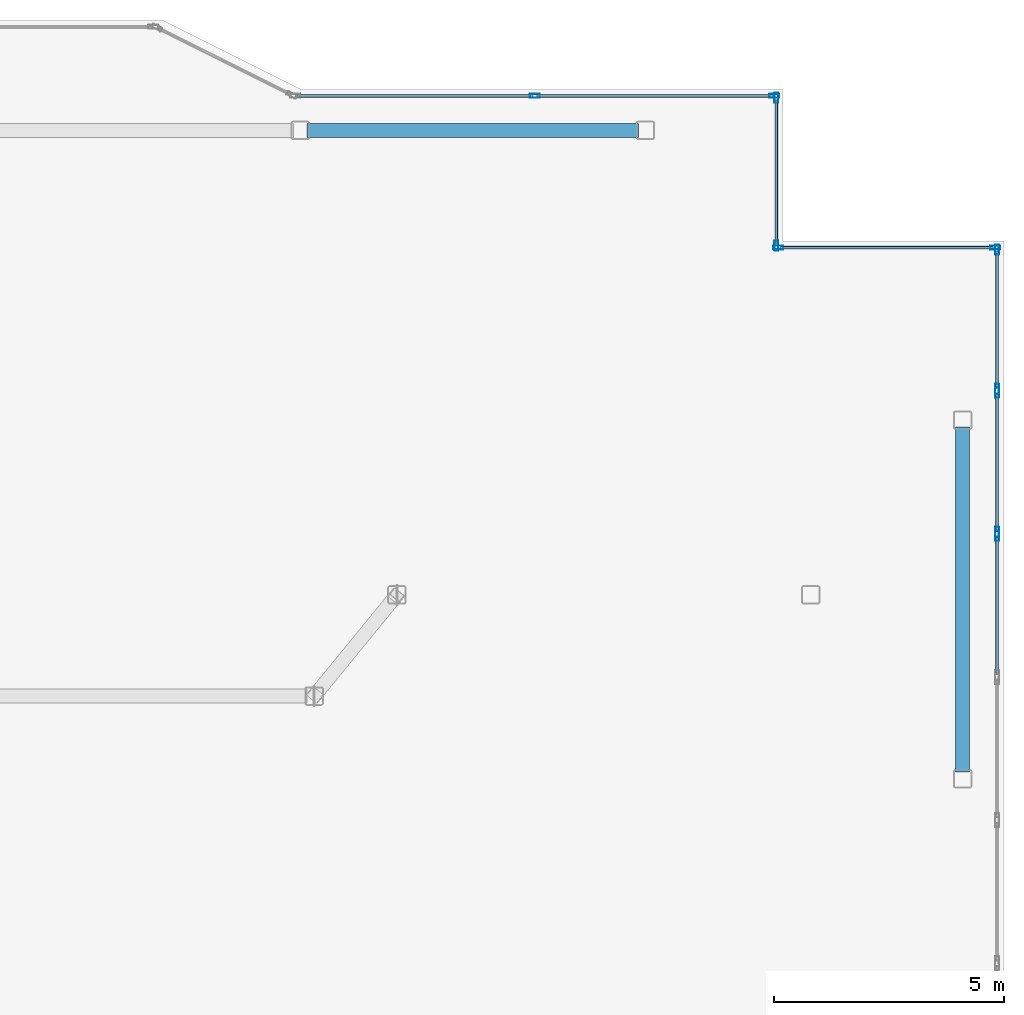
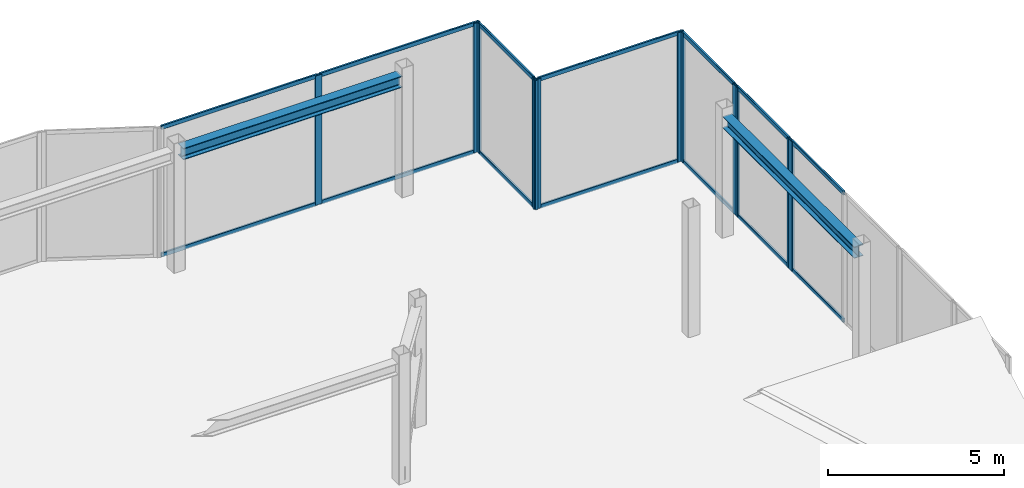
# One storey, part 8 of 12: 25 members, 2 beams, 6 elements without a shape of their own.
"""IFC4 building model written with IfcOpenShell, lengths in metres."""

from ifc_helpers import new_model, si_unit, direction, frame, origin, origin_2d, place, context, subcontext, project, spatial, hollow_rectangle, i_section, extrude, material, layer, layer_set, material_profile, profile_set, type_object, element, aggregate, save


model = new_model("IFC4")

# Units and contexts
model_context = context("Model", 3, precision=1e-05, world=origin(), true_north=direction((0.0, 1.0)))
body_context = subcontext(model_context, "Body", "Model", "MODEL_VIEW")
ifc_project = project(units=[si_unit("LENGTHUNIT", "METRE"), si_unit("AREAUNIT", "SQUARE_METRE"), si_unit("VOLUMEUNIT", "CUBIC_METRE"), si_unit("PLANEANGLEUNIT", "RADIAN"), si_unit("MASSUNIT", "GRAM", prefix="KILO")], contexts=[model_context])

# Site, building, storey
site_placement = place(None, origin())
site = spatial("IfcSite", under=ifc_project, at=site_placement, CompositionType="ELEMENT")
building_placement = place(site_placement, origin())
building = spatial("IfcBuilding", under=site, at=building_placement, Name="Tarnavaz Court Tower", CompositionType="ELEMENT")
storey_placement = place(building_placement, frame((0.0, 0.0, 299.550048828125)))
storey = spatial("IfcBuildingStorey", under=building, at=storey_placement, Name="C05", CompositionType="ELEMENT", Elevation=299.550048828125)

# Beams
ifc_material_1 = material(Name="Steel S355", Category="steel")
ifc_material_profile_1 = material_profile(ifc_material_1, i_section(OverallWidth=0.300048828125, OverallDepth=0.39990234375, WebThickness=0.013427734375, FlangeThickness=0.02392578125, FilletRadius=0.027099609375, at=origin_2d()), Name="HEB 400")
ifc_profile_set_1 = profile_set([ifc_material_profile_1], Name="Steel S355")
beam_type = type_object("IfcBeamType", Name="BM-G-HEB400", PredefinedType="USERDEFINED", material=ifc_profile_set_1)
beam_1_placement = place(storey_placement, frame((7.64990234375, 20.10009765625, 4.0), z_axis=(1.0, 0.0, 0.0), x_axis=(0.0, 1.0, 0.0)))
element("IfcBeam", 1, at=beam_1_placement, inside=storey, type_object=beam_type, Name="C05 Beam CRG-PN-3-PN-4", ObjectType="GIRDER", PredefinedType="USERDEFINED", context=body_context, shape_type="SweptSolid", body=[
    extrude(i_section(OverallWidth=0.300048828125, OverallDepth=0.39990234375, WebThickness=0.013427734375, FlangeThickness=0.02392578125, FilletRadius=0.027099609375, at=origin_2d()), origin(), (0.0, 0.0, 1.0), 7.2001953125),
])
beam_2_placement = place(storey_placement, frame((21.89990234375, 6.14990234375, 4.0), z_axis=(0.0, 1.0, 0.0), x_axis=(-1.0, 0.0, 0.0)))
element("IfcBeam", 2, at=beam_2_placement, inside=storey, type_object=beam_type, Name="C05 Beam CRG-PE-3-PE-4", ObjectType="GIRDER", PredefinedType="USERDEFINED", context=body_context, shape_type="SweptSolid", body=[
    extrude(i_section(OverallWidth=0.300048828125, OverallDepth=0.39990234375, WebThickness=0.013427734375, FlangeThickness=0.02392578125, FilletRadius=0.027099609375, at=origin_2d()), origin(), (0.0, 0.0, 1.0), 7.5),
])

# Curtain wall, members
ifc_material_2 = material(Name="Anodised Aluminium 6063-T6 and Solar Low-E Glazing", Category="aluminium")
ifc_layer = layer(ifc_material_2, 0.2099609375)
ifc_layer_set = layer_set([ifc_layer], Name="Anodised Aluminium 6063-T6 and Solar Low-E Glazing")
curtain_wall_type = type_object("IfcCurtainWallType", Name="CW-SYS-06", PredefinedType="NOTDEFINED", material=ifc_layer_set)
curtain_wall_1_placement = place(storey_placement, origin())
curtain_wall_1 = element("IfcCurtainWall", 3, at=curtain_wall_1_placement, inside=storey, type_object=curtain_wall_type, Name="C05 Slanted Crown Terracotta Curtain Wall 7", PredefinedType="NOTDEFINED")
ifc_material_3 = material(Name="Anodised Aluminium 6063-T6", Category="aluminium")
ifc_material_profile_2 = material_profile(ifc_material_3, hollow_rectangle(XDim=0.0849609375, YDim=0.219970703125, WallThickness=0.006103515625, InnerFilletRadius=0.006103515625, OuterFilletRadius=0.011962890625, at=origin_2d()), Name="ALU RHS 220X85X6")
ifc_profile_set_2 = profile_set([ifc_material_profile_2], Name="Anodised Aluminium 6063-T6")
member_type_1 = type_object("IfcMemberType", Name="CW-MUL-220", PredefinedType="MULLION", material=ifc_profile_set_2)
member_1_placement = place(storey_placement, frame((12.60009765625, 20.85009765625, 0.0), z_axis=(0.0, 0.0, 1.0), x_axis=(0.0, 1.0, 0.0)))
member_1 = element("IfcMember", 4, at=member_1_placement, type_object=member_type_1, Name="CW mullion 2", PredefinedType="MULLION", context=body_context, shape_type="SweptSolid", body=[
    extrude(hollow_rectangle(XDim=0.0849609375, YDim=0.219970703125, WallThickness=0.006103515625, InnerFilletRadius=0.006103515625, OuterFilletRadius=0.011962890625, at=origin_2d()), origin(), (0.0, 0.0, 1.0), 4.5),
])
member_2_placement = place(storey_placement, frame((17.8076171875, 20.85009765625, 0.0), z_axis=(0.0, 0.0, 1.0), x_axis=(0.0, 1.0, 0.0)))
member_2 = element("IfcMember", 5, at=member_2_placement, type_object=member_type_1, Name="CW mullion 3", PredefinedType="MULLION", context=body_context, shape_type="SweptSolid", body=[
    extrude(hollow_rectangle(XDim=0.0849609375, YDim=0.219970703125, WallThickness=0.006103515625, InnerFilletRadius=0.006103515625, OuterFilletRadius=0.011962890625, at=origin_2d()), origin(), (0.0, 0.0, 1.0), 4.5),
])

curtain_wall_2_placement = place(storey_placement, origin())
curtain_wall_2 = element("IfcCurtainWall", 6, at=curtain_wall_2_placement, inside=storey, type_object=curtain_wall_type, Name="C05 Slanted Crown Terracotta Curtain Wall 8", PredefinedType="NOTDEFINED")
member_3_placement = place(storey_placement, frame((17.85009765625, 20.8076171875, 0.0), z_axis=(0.0, 0.0, 1.0), x_axis=(1.0, 0.0, 0.0)))
member_3 = element("IfcMember", 7, at=member_3_placement, type_object=member_type_1, Name="CW mullion 1", PredefinedType="MULLION", context=body_context, shape_type="SweptSolid", body=[
    extrude(hollow_rectangle(XDim=0.0849609375, YDim=0.219970703125, WallThickness=0.006103515625, InnerFilletRadius=0.006103515625, OuterFilletRadius=0.011962890625, at=origin_2d()), origin(), (0.0, 0.0, 1.0), 4.5),
])
member_4_placement = place(storey_placement, frame((17.85009765625, 17.592529296875, 0.0), z_axis=(0.0, 0.0, 1.0), x_axis=(1.0, 0.0, 0.0)))
member_4 = element("IfcMember", 8, at=member_4_placement, type_object=member_type_1, Name="CW mullion 2", PredefinedType="MULLION", context=body_context, shape_type="SweptSolid", body=[
    extrude(hollow_rectangle(XDim=0.0849609375, YDim=0.219970703125, WallThickness=0.006103515625, InnerFilletRadius=0.006103515625, OuterFilletRadius=0.011962890625, at=origin_2d()), origin(), (0.0, 0.0, 1.0), 4.5),
])

curtain_wall_3_placement = place(storey_placement, origin())
curtain_wall_3 = element("IfcCurtainWall", 9, at=curtain_wall_3_placement, inside=storey, type_object=curtain_wall_type, Name="C05 Slanted Crown Terracotta Curtain Wall 9", PredefinedType="NOTDEFINED")
member_5_placement = place(storey_placement, frame((17.892578125, 17.550048828125, 0.0), z_axis=(0.0, 0.0, 1.0), x_axis=(0.0, 1.0, 0.0)))
member_5 = element("IfcMember", 10, at=member_5_placement, type_object=member_type_1, Name="CW mullion 1", PredefinedType="MULLION", context=body_context, shape_type="SweptSolid", body=[
    extrude(hollow_rectangle(XDim=0.0849609375, YDim=0.219970703125, WallThickness=0.006103515625, InnerFilletRadius=0.006103515625, OuterFilletRadius=0.011962890625, at=origin_2d()), origin(), (0.0, 0.0, 1.0), 4.5),
])
member_6_placement = place(storey_placement, frame((22.607421875, 17.550048828125, 0.0), z_axis=(0.0, 0.0, 1.0), x_axis=(0.0, 1.0, 0.0)))
member_6 = element("IfcMember", 11, at=member_6_placement, type_object=member_type_1, Name="CW mullion 2", PredefinedType="MULLION", context=body_context, shape_type="SweptSolid", body=[
    extrude(hollow_rectangle(XDim=0.0849609375, YDim=0.219970703125, WallThickness=0.006103515625, InnerFilletRadius=0.006103515625, OuterFilletRadius=0.011962890625, at=origin_2d()), origin(), (0.0, 0.0, 1.0), 4.5),
])

curtain_wall_4_placement = place(storey_placement, origin())
curtain_wall_4 = element("IfcCurtainWall", 12, at=curtain_wall_4_placement, inside=storey, type_object=curtain_wall_type, Name="C05 Slanted Crown Terracotta Curtain Wall 10", PredefinedType="NOTDEFINED")
member_7_placement = place(storey_placement, frame((22.64990234375, 17.507568359375, 0.0), z_axis=(0.0, 0.0, 1.0), x_axis=(1.0, 0.0, 0.0)))
member_7 = element("IfcMember", 13, at=member_7_placement, type_object=member_type_1, Name="CW mullion 1", PredefinedType="MULLION", context=body_context, shape_type="SweptSolid", body=[
    extrude(hollow_rectangle(XDim=0.0849609375, YDim=0.219970703125, WallThickness=0.006103515625, InnerFilletRadius=0.006103515625, OuterFilletRadius=0.011962890625, at=origin_2d()), origin(), (0.0, 0.0, 1.0), 4.5),
])
member_8_placement = place(storey_placement, frame((22.64990234375, 14.47998046875, 0.0), z_axis=(0.0, 0.0, 1.0), x_axis=(1.0, 0.0, 0.0)))
member_8 = element("IfcMember", 14, at=member_8_placement, type_object=member_type_1, Name="CW mullion 2", PredefinedType="MULLION", context=body_context, shape_type="SweptSolid", body=[
    extrude(hollow_rectangle(XDim=0.0849609375, YDim=0.219970703125, WallThickness=0.006103515625, InnerFilletRadius=0.006103515625, OuterFilletRadius=0.011962890625, at=origin_2d()), origin(), (0.0, 0.0, 1.0), 4.5),
])

curtain_wall_5_placement = place(storey_placement, origin())
curtain_wall_5 = element("IfcCurtainWall", 15, at=curtain_wall_5_placement, inside=storey, type_object=curtain_wall_type, Name="C05 Slanted Crown Terracotta Curtain Wall 11", PredefinedType="NOTDEFINED")
member_9_placement = place(storey_placement, frame((22.64990234375, 14.39501953125, 0.0), z_axis=(0.0, 0.0, 1.0), x_axis=(1.0, 0.0, 0.0)))
member_9 = element("IfcMember", 16, at=member_9_placement, type_object=member_type_1, Name="CW mullion 1", PredefinedType="MULLION", context=body_context, shape_type="SweptSolid", body=[
    extrude(hollow_rectangle(XDim=0.0849609375, YDim=0.219970703125, WallThickness=0.006103515625, InnerFilletRadius=0.006103515625, OuterFilletRadius=0.011962890625, at=origin_2d()), origin(), (0.0, 0.0, 1.0), 4.5),
])
member_10_placement = place(storey_placement, frame((22.64990234375, 11.367431640625, 0.0), z_axis=(0.0, 0.0, 1.0), x_axis=(1.0, 0.0, 0.0)))
member_10 = element("IfcMember", 17, at=member_10_placement, type_object=member_type_1, Name="CW mullion 2", PredefinedType="MULLION", context=body_context, shape_type="SweptSolid", body=[
    extrude(hollow_rectangle(XDim=0.0849609375, YDim=0.219970703125, WallThickness=0.006103515625, InnerFilletRadius=0.006103515625, OuterFilletRadius=0.011962890625, at=origin_2d()), origin(), (0.0, 0.0, 1.0), 4.5),
])

# Curtain wall, member
curtain_wall_6_placement = place(storey_placement, origin())
curtain_wall_6 = element("IfcCurtainWall", 18, at=curtain_wall_6_placement, inside=storey, type_object=curtain_wall_type, Name="C05 Slanted Crown Terracotta Curtain Wall 12", PredefinedType="NOTDEFINED")
member_11_placement = place(storey_placement, frame((22.64990234375, 11.282470703125, 0.0), z_axis=(0.0, 0.0, 1.0), x_axis=(1.0, 0.0, 0.0)))
member_11 = element("IfcMember", 19, at=member_11_placement, type_object=member_type_1, Name="CW mullion 1", PredefinedType="MULLION", context=body_context, shape_type="SweptSolid", body=[
    extrude(hollow_rectangle(XDim=0.0849609375, YDim=0.219970703125, WallThickness=0.006103515625, InnerFilletRadius=0.006103515625, OuterFilletRadius=0.011962890625, at=origin_2d()), origin(), (0.0, 0.0, 1.0), 4.5),
])

# Member
ifc_material_profile_3 = material_profile(ifc_material_3, hollow_rectangle(XDim=0.06494140625, YDim=0.139892578125, WallThickness=0.00390625, InnerFilletRadius=0.00390625, OuterFilletRadius=0.008056640625, at=origin_2d()), Name="ALU RHS 140X65X4")
ifc_profile_set_3 = profile_set([ifc_material_profile_3], Name="Anodised Aluminium 6063-T6")
member_type_2 = type_object("IfcMemberType", Name="CW-TRN-140", PredefinedType="USERDEFINED", material=ifc_profile_set_3)
member_12_placement = place(storey_placement, frame((7.43505859375, 20.85009765625, 0.032470703125), z_axis=(1.0, 0.0, 0.0), x_axis=(0.0, 1.0, 0.0)))
member_12 = element("IfcMember", 20, at=member_12_placement, type_object=member_type_2, Name="CW transom 1.1", ObjectType="TRANSOM", PredefinedType="USERDEFINED", context=body_context, shape_type="SweptSolid", body=[
    extrude(hollow_rectangle(XDim=0.06494140625, YDim=0.139892578125, WallThickness=0.00390625, InnerFilletRadius=0.00390625, OuterFilletRadius=0.008056640625, at=origin_2d()), origin(), (0.0, 0.0, 1.0), 5.12255859375),
])

member_13_placement = place(storey_placement, frame((7.43505859375, 20.85009765625, 4.467529296875), z_axis=(1.0, 0.0, 0.0), x_axis=(0.0, 1.0, 0.0)))
member_13 = element("IfcMember", 21, at=member_13_placement, type_object=member_type_2, Name="CW transom 1.2", ObjectType="TRANSOM", PredefinedType="USERDEFINED", context=body_context, shape_type="SweptSolid", body=[
    extrude(hollow_rectangle(XDim=0.06494140625, YDim=0.139892578125, WallThickness=0.00390625, InnerFilletRadius=0.00390625, OuterFilletRadius=0.008056640625, at=origin_2d()), origin(), (0.0, 0.0, 1.0), 5.12255859375),
])

member_14_placement = place(storey_placement, frame((12.642578125, 20.85009765625, 0.032470703125), z_axis=(1.0, 0.0, 0.0), x_axis=(0.0, 1.0, 0.0)))
member_14 = element("IfcMember", 22, at=member_14_placement, type_object=member_type_2, Name="CW transom 2.1", ObjectType="TRANSOM", PredefinedType="USERDEFINED", context=body_context, shape_type="SweptSolid", body=[
    extrude(hollow_rectangle(XDim=0.06494140625, YDim=0.139892578125, WallThickness=0.00390625, InnerFilletRadius=0.00390625, OuterFilletRadius=0.008056640625, at=origin_2d()), origin(), (0.0, 0.0, 1.0), 5.122314453125),
])

member_15_placement = place(storey_placement, frame((12.642578125, 20.85009765625, 4.467529296875), z_axis=(1.0, 0.0, 0.0), x_axis=(0.0, 1.0, 0.0)))
member_15 = element("IfcMember", 23, at=member_15_placement, type_object=member_type_2, Name="CW transom 2.2", ObjectType="TRANSOM", PredefinedType="USERDEFINED", context=body_context, shape_type="SweptSolid", body=[
    extrude(hollow_rectangle(XDim=0.06494140625, YDim=0.139892578125, WallThickness=0.00390625, InnerFilletRadius=0.00390625, OuterFilletRadius=0.008056640625, at=origin_2d()), origin(), (0.0, 0.0, 1.0), 5.122314453125),
])

aggregate(curtain_wall_1, [member_1, member_2, member_12, member_13, member_14, member_15])

member_16_placement = place(storey_placement, frame((17.85009765625, 20.764892578125, 0.032470703125), z_axis=(0.0, -1.0, 0.0), x_axis=(1.0, 0.0, 0.0)))
member_16 = element("IfcMember", 24, at=member_16_placement, type_object=member_type_2, Name="CW transom 1.1", ObjectType="TRANSOM", PredefinedType="USERDEFINED", context=body_context, shape_type="SweptSolid", body=[
    extrude(hollow_rectangle(XDim=0.06494140625, YDim=0.139892578125, WallThickness=0.00390625, InnerFilletRadius=0.00390625, OuterFilletRadius=0.008056640625, at=origin_2d()), origin(), (0.0, 0.0, 1.0), 3.1298828125),
])

member_17_placement = place(storey_placement, frame((17.85009765625, 20.764892578125, 4.467529296875), z_axis=(0.0, -1.0, 0.0), x_axis=(1.0, 0.0, 0.0)))
member_17 = element("IfcMember", 25, at=member_17_placement, type_object=member_type_2, Name="CW transom 1.2", ObjectType="TRANSOM", PredefinedType="USERDEFINED", context=body_context, shape_type="SweptSolid", body=[
    extrude(hollow_rectangle(XDim=0.06494140625, YDim=0.139892578125, WallThickness=0.00390625, InnerFilletRadius=0.00390625, OuterFilletRadius=0.008056640625, at=origin_2d()), origin(), (0.0, 0.0, 1.0), 3.1298828125),
])

aggregate(curtain_wall_2, [member_3, member_4, member_16, member_17])

member_18_placement = place(storey_placement, frame((17.93505859375, 17.550048828125, 0.032470703125), z_axis=(1.0, 0.0, 0.0), x_axis=(0.0, 1.0, 0.0)))
member_18 = element("IfcMember", 26, at=member_18_placement, type_object=member_type_2, Name="CW transom 1.1", ObjectType="TRANSOM", PredefinedType="USERDEFINED", context=body_context, shape_type="SweptSolid", body=[
    extrude(hollow_rectangle(XDim=0.06494140625, YDim=0.139892578125, WallThickness=0.00390625, InnerFilletRadius=0.00390625, OuterFilletRadius=0.008056640625, at=origin_2d()), origin(), (0.0, 0.0, 1.0), 4.6298828125),
])

member_19_placement = place(storey_placement, frame((17.93505859375, 17.550048828125, 4.467529296875), z_axis=(1.0, 0.0, 0.0), x_axis=(0.0, 1.0, 0.0)))
member_19 = element("IfcMember", 27, at=member_19_placement, type_object=member_type_2, Name="CW transom 1.2", ObjectType="TRANSOM", PredefinedType="USERDEFINED", context=body_context, shape_type="SweptSolid", body=[
    extrude(hollow_rectangle(XDim=0.06494140625, YDim=0.139892578125, WallThickness=0.00390625, InnerFilletRadius=0.00390625, OuterFilletRadius=0.008056640625, at=origin_2d()), origin(), (0.0, 0.0, 1.0), 4.6298828125),
])

aggregate(curtain_wall_3, [member_5, member_6, member_18, member_19])

member_20_placement = place(storey_placement, frame((22.64990234375, 17.465087890625, 0.032470703125), z_axis=(0.0, -1.0, 0.0), x_axis=(1.0, 0.0, 0.0)))
member_20 = element("IfcMember", 28, at=member_20_placement, type_object=member_type_2, Name="CW transom 1.1", ObjectType="TRANSOM", PredefinedType="USERDEFINED", context=body_context, shape_type="SweptSolid", body=[
    extrude(hollow_rectangle(XDim=0.06494140625, YDim=0.139892578125, WallThickness=0.00390625, InnerFilletRadius=0.00390625, OuterFilletRadius=0.008056640625, at=origin_2d()), origin(), (0.0, 0.0, 1.0), 2.942626953125),
])

member_21_placement = place(storey_placement, frame((22.64990234375, 17.465087890625, 4.467529296875), z_axis=(0.0, -1.0, 0.0), x_axis=(1.0, 0.0, 0.0)))
member_21 = element("IfcMember", 29, at=member_21_placement, type_object=member_type_2, Name="CW transom 1.2", ObjectType="TRANSOM", PredefinedType="USERDEFINED", context=body_context, shape_type="SweptSolid", body=[
    extrude(hollow_rectangle(XDim=0.06494140625, YDim=0.139892578125, WallThickness=0.00390625, InnerFilletRadius=0.00390625, OuterFilletRadius=0.008056640625, at=origin_2d()), origin(), (0.0, 0.0, 1.0), 2.942626953125),
])

aggregate(curtain_wall_4, [member_7, member_8, member_20, member_21])

member_22_placement = place(storey_placement, frame((22.64990234375, 14.3525390625, 0.032470703125), z_axis=(0.0, -1.0, 0.0), x_axis=(1.0, 0.0, 0.0)))
member_22 = element("IfcMember", 30, at=member_22_placement, type_object=member_type_2, Name="CW transom 1.1", ObjectType="TRANSOM", PredefinedType="USERDEFINED", context=body_context, shape_type="SweptSolid", body=[
    extrude(hollow_rectangle(XDim=0.06494140625, YDim=0.139892578125, WallThickness=0.00390625, InnerFilletRadius=0.00390625, OuterFilletRadius=0.008056640625, at=origin_2d()), origin(), (0.0, 0.0, 1.0), 2.942626953125),
])

member_23_placement = place(storey_placement, frame((22.64990234375, 14.3525390625, 4.467529296875), z_axis=(0.0, -1.0, 0.0), x_axis=(1.0, 0.0, 0.0)))
member_23 = element("IfcMember", 31, at=member_23_placement, type_object=member_type_2, Name="CW transom 1.2", ObjectType="TRANSOM", PredefinedType="USERDEFINED", context=body_context, shape_type="SweptSolid", body=[
    extrude(hollow_rectangle(XDim=0.06494140625, YDim=0.139892578125, WallThickness=0.00390625, InnerFilletRadius=0.00390625, OuterFilletRadius=0.008056640625, at=origin_2d()), origin(), (0.0, 0.0, 1.0), 2.942626953125),
])

aggregate(curtain_wall_5, [member_9, member_10, member_22, member_23])

member_24_placement = place(storey_placement, frame((22.64990234375, 11.239990234375, 0.032470703125), z_axis=(0.0, -1.0, 0.0), x_axis=(1.0, 0.0, 0.0)))
member_24 = element("IfcMember", 32, at=member_24_placement, type_object=member_type_2, Name="CW transom 1.1", ObjectType="TRANSOM", PredefinedType="USERDEFINED", context=body_context, shape_type="SweptSolid", body=[
    extrude(hollow_rectangle(XDim=0.06494140625, YDim=0.139892578125, WallThickness=0.00390625, InnerFilletRadius=0.00390625, OuterFilletRadius=0.008056640625, at=origin_2d()), origin(), (0.0, 0.0, 1.0), 2.9423828125),
])

member_25_placement = place(storey_placement, frame((22.64990234375, 11.239990234375, 4.467529296875), z_axis=(0.0, -1.0, 0.0), x_axis=(1.0, 0.0, 0.0)))
member_25 = element("IfcMember", 33, at=member_25_placement, type_object=member_type_2, Name="CW transom 1.2", ObjectType="TRANSOM", PredefinedType="USERDEFINED", context=body_context, shape_type="SweptSolid", body=[
    extrude(hollow_rectangle(XDim=0.06494140625, YDim=0.139892578125, WallThickness=0.00390625, InnerFilletRadius=0.00390625, OuterFilletRadius=0.008056640625, at=origin_2d()), origin(), (0.0, 0.0, 1.0), 2.9423828125),
])

aggregate(curtain_wall_6, [member_11, member_24, member_25])

save(model, "model.ifc")
